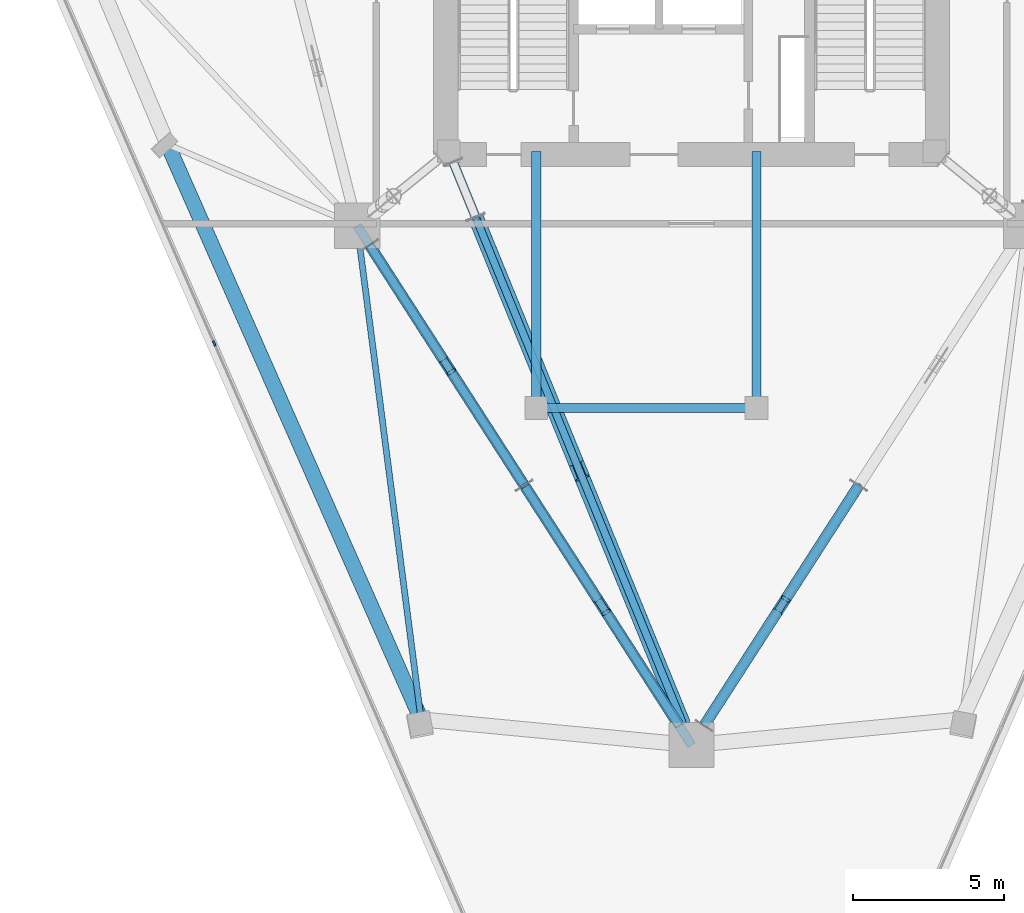
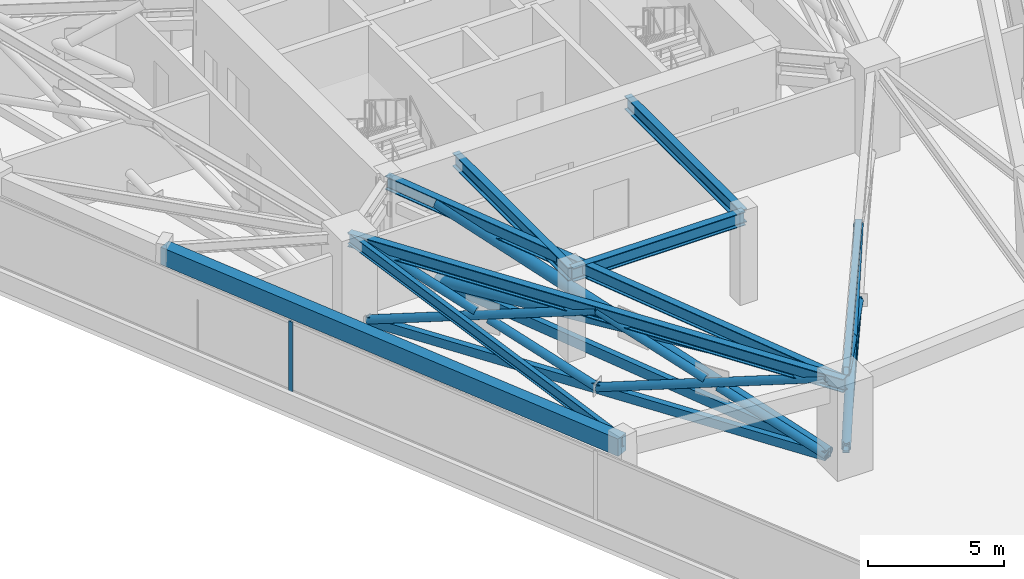
# One storey, part 3 of 13: 21 members, 7 beams, 1 element without a shape of its own.
"""IFC4 building model written with IfcOpenShell, lengths in metres."""

from ifc_helpers import new_model, si_unit, direction, frame, origin, origin_2d, place, context, subcontext, project, spatial, rectangle, hollow_rectangle, hollow_circle, i_section, extrude, material, layer, layer_set, material_profile, profile_set, type_object, element, aggregate, save


model = new_model("IFC4")

# Units and contexts
model_context = context("Model", 3, precision=1e-05, world=origin(), true_north=direction((0.0, 1.0)))
body_context = subcontext(model_context, "Body", "Model", "MODEL_VIEW")
ifc_project = project(units=[si_unit("LENGTHUNIT", "METRE"), si_unit("AREAUNIT", "SQUARE_METRE"), si_unit("VOLUMEUNIT", "CUBIC_METRE"), si_unit("PLANEANGLEUNIT", "RADIAN"), si_unit("MASSUNIT", "GRAM", prefix="KILO")], contexts=[model_context])

# Site, building, storey
site_placement = place(None, origin())
site = spatial("IfcSite", under=ifc_project, at=site_placement, CompositionType="ELEMENT")
building_placement = place(site_placement, origin())
building = spatial("IfcBuilding", under=site, at=building_placement, Name="Talyreon Biosciences Tower", CompositionType="ELEMENT")
storey_placement = place(building_placement, frame((0.0, 0.0, 175.199951171875)))
storey = spatial("IfcBuildingStorey", under=building, at=storey_placement, Name="L46", CompositionType="ELEMENT", Elevation=175.199951171875)

# Members
ifc_material_1 = material(Name="Steel SM355", Category="steel")
ifc_material_profile_1 = material_profile(ifc_material_1, hollow_circle(Radius=0.177734375, WallThickness=0.01416015625, at=origin_2d()), Name="CHS 355.6x14.2")
ifc_profile_set_1 = profile_set([ifc_material_profile_1], Name="Steel SM355")
member_type_1 = type_object("IfcMemberType", Name="BeltBrace_CHS355", PredefinedType="BRACE", material=ifc_profile_set_1)
member_1_placement = place(storey_placement, frame((66.41162109375, 42.305908203125, 0.239990234375), z_axis=(0.508627213413, 0.789740603119, 0.342940428588), x_axis=(-0.840724531563, 0.541463075405, 0.0)))
element("IfcMember", 1, at=member_1_placement, inside=storey, type_object=member_type_1, Name="L46 Continuous Diagonal BELT-L46-B1S1A", PredefinedType="BRACE", context=body_context, shape_type="SweptSolid", body=[
    extrude(hollow_circle(Radius=0.177734375, WallThickness=0.01416015625, at=origin_2d()), origin(), (0.0, 0.0, 1.0), 10.089111328125),
])
member_2_placement = place(storey_placement, frame((71.543212890625, 50.273681640625, 0.239990234375), z_axis=(-0.508661520583, -0.789714048073, 0.342950695806), x_axis=(0.840699616917, -0.541501758184, 0.0)))
element("IfcMember", 2, at=member_2_placement, inside=storey, type_object=member_type_1, Name="L46 Split Diagonal BELT-L46-B1S1B-Lower", PredefinedType="BRACE", context=body_context, shape_type="SweptSolid", body=[
    extrude(hollow_circle(Radius=0.177734375, WallThickness=0.01416015625, at=origin_2d()), origin(), (0.0, 0.0, 1.0), 4.7646484375),
])
member_3_placement = place(storey_placement, frame((68.8349609375, 46.068603515625, 2.066162109375), z_axis=(-0.508632474612, -0.789748508838, 0.342914418709), x_axis=(0.840724449388, -0.541463202999, 0.0)))
element("IfcMember", 3, at=member_3_placement, inside=storey, type_object=member_type_1, Name="L46 Split Diagonal BELT-L46-B1S1B-Upper", PredefinedType="BRACE", context=body_context, shape_type="SweptSolid", body=[
    extrude(hollow_circle(Radius=0.177734375, WallThickness=0.01416015625, at=origin_2d()), origin(), (0.0, 0.0, 1.0), 4.764404296875),
])
member_4_placement = place(storey_placement, frame((55.3251953125, 58.241455078125, 0.239990234375), z_axis=(0.508627213413, -0.789740603119, 0.342940428588), x_axis=(0.840724531563, 0.541463075405, 0.0)))
element("IfcMember", 4, at=member_4_placement, inside=storey, type_object=member_type_1, Name="L46 Continuous Diagonal BELT-L46-B6S1A", PredefinedType="BRACE", context=body_context, shape_type="SweptSolid", body=[
    extrude(hollow_circle(Radius=0.177734375, WallThickness=0.01416015625, at=origin_2d()), origin(), (0.0, 0.0, 1.0), 10.089111328125),
])
member_5_placement = place(storey_placement, frame((60.456787109375, 50.273681640625, 0.239990234375), z_axis=(-0.508623536606, 0.789734630886, 0.342959634345), x_axis=(-0.840724449388, -0.541463202999, 0.0)))
element("IfcMember", 5, at=member_5_placement, inside=storey, type_object=member_type_1, Name="L46 Split Diagonal BELT-L46-B6S1B-Lower", PredefinedType="BRACE", context=body_context, shape_type="SweptSolid", body=[
    extrude(hollow_circle(Radius=0.177734375, WallThickness=0.01416015625, at=origin_2d()), origin(), (0.0, 0.0, 1.0), 4.764404296875),
])
member_6_placement = place(storey_placement, frame((57.748779296875, 54.478515625, 2.066162109375), z_axis=(-0.508649875243, 0.789747207325, 0.342891605231), x_axis=(-0.840715610719, -0.541476926465, 0.0)))
element("IfcMember", 6, at=member_6_placement, inside=storey, type_object=member_type_1, Name="L46 Split Diagonal BELT-L46-B6S1B-Upper", PredefinedType="BRACE", context=body_context, shape_type="SweptSolid", body=[
    extrude(hollow_circle(Radius=0.177734375, WallThickness=0.01416015625, at=origin_2d()), origin(), (0.0, 0.0, 1.0), 4.7646484375),
])
member_7_placement = place(storey_placement, frame((60.456787109375, 50.273681640625, 0.239990234375), z_axis=(0.508627213413, -0.789740603119, 0.342940428588), x_axis=(0.840724531563, 0.541463075405, 0.0)))
element("IfcMember", 7, at=member_7_placement, inside=storey, type_object=member_type_1, Name="L46 Continuous Diagonal BELT-L46-B6S2A", PredefinedType="BRACE", context=body_context, shape_type="SweptSolid", body=[
    extrude(hollow_circle(Radius=0.177734375, WallThickness=0.01416015625, at=origin_2d()), origin(), (0.0, 0.0, 1.0), 10.089111328125),
])
member_8_placement = place(storey_placement, frame((65.58837890625, 42.305908203125, 0.239990234375), z_axis=(-0.508623536606, 0.789734630886, 0.342959634345), x_axis=(-0.840724449388, -0.541463202999, 0.0)))
element("IfcMember", 8, at=member_8_placement, inside=storey, type_object=member_type_1, Name="L46 Split Diagonal BELT-L46-B6S2B-Lower", PredefinedType="BRACE", context=body_context, shape_type="SweptSolid", body=[
    extrude(hollow_circle(Radius=0.177734375, WallThickness=0.01416015625, at=origin_2d()), origin(), (0.0, 0.0, 1.0), 4.764404296875),
])
member_9_placement = place(storey_placement, frame((62.88037109375, 46.510986328125, 2.066162109375), z_axis=(-0.508670458791, 0.78972792494, 0.342905481034), x_axis=(-0.840699616917, -0.541501758184, 0.0)))
element("IfcMember", 9, at=member_9_placement, inside=storey, type_object=member_type_1, Name="L46 Split Diagonal BELT-L46-B6S2B-Upper", PredefinedType="BRACE", context=body_context, shape_type="SweptSolid", body=[
    extrude(hollow_circle(Radius=0.177734375, WallThickness=0.01416015625, at=origin_2d()), origin(), (0.0, 0.0, 1.0), 4.7646484375),
])
ifc_material_profile_2 = material_profile(ifc_material_1, hollow_rectangle(XDim=0.25, YDim=0.39990234375, WallThickness=0.01611328125, at=origin_2d()), Name="RHS 400x250x16")
ifc_profile_set_2 = profile_set([ifc_material_profile_2], Name="Steel SM355")
member_type_2 = type_object("IfcMemberType", Name="BeltChord_RHS400x250", PredefinedType="CHORD", material=ifc_profile_set_2)
for number, where, z_axis, x_axis, name in (
    (10, (66.41162109375, 42.305908203125, 0.239990234375), (0.541463075405, 0.840724531563, 0.0), (-0.840724531563, 0.541463075405, 0.0), "L46 Truss Bottom Chord BELT-L46-B1S1"),
    (11, (66.41162109375, 42.305908203125, 3.699951171875), (0.541463075405, 0.840724531563, 0.0), (-0.840724531563, 0.541463075405, 0.0), "L46 Truss Top Chord BELT-L46-B1S1"),
    (12, (55.3251953125, 58.241455078125, 0.239990234375), (0.541463075405, -0.840724531563, 0.0), (0.840724531563, 0.541463075405, 0.0), "L46 Truss Bottom Chord BELT-L46-B6S1"),
    (13, (55.3251953125, 58.241455078125, 3.699951171875), (0.541463075405, -0.840724531563, 0.0), (0.840724531563, 0.541463075405, 0.0), "L46 Truss Top Chord BELT-L46-B6S1"),
    (14, (60.456787109375, 50.273681640625, 0.239990234375), (0.541463075405, -0.840724531563, 0.0), (0.840724531563, 0.541463075405, 0.0), "L46 Truss Bottom Chord BELT-L46-B6S2"),
    (15, (60.456787109375, 50.273681640625, 3.699951171875), (0.541463075405, -0.840724531563, 0.0), (0.840724531563, 0.541463075405, 0.0), "L46 Truss Top Chord BELT-L46-B6S2"),
):
    element("IfcMember", number, at=place(storey_placement, frame(where, z_axis=z_axis, x_axis=x_axis)), inside=storey, type_object=member_type_2, Name=name, PredefinedType="CHORD", context=body_context, shape_type="SweptSolid", body=[
        extrude(hollow_rectangle(XDim=0.25, YDim=0.39990234375, WallThickness=0.01611328125, at=origin_2d()), origin(), (0.0, 0.0, 1.0), 9.477294921875),
    ])

# Curtain wall, member
ifc_material_2 = material(Name="Thermally broken aluminium and low-E glazing", Category="aluminium")
ifc_layer = layer(ifc_material_2, 0.18505859375)
ifc_layer_set = layer_set([ifc_layer], Name="Thermally broken aluminium and low-E glazing")
curtain_wall_type = type_object("IfcCurtainWallType", Name="CurtainWall_Zone3Bioprocess", PredefinedType="NOTDEFINED", material=ifc_layer_set)
curtain_wall_placement = place(storey_placement, origin())
curtain_wall = element("IfcCurtainWall", 16, at=curtain_wall_placement, inside=storey, type_object=curtain_wall_type, Name="L46 Unitised Curtain Wall FCW-L46-00", PredefinedType="NOTDEFINED")
ifc_material_3 = material(Name="Anodised thermally broken aluminium", Category="aluminium")
ifc_material_profile_3 = material_profile(ifc_material_3, rectangle(XDim=0.06494140625, YDim=0.179931640625, at=origin_2d()), Name="ALUM MULLION 65x180")
ifc_profile_set_3 = profile_set([ifc_material_profile_3], Name="Anodised thermally broken aluminium")
member_type_3 = type_object("IfcMemberType", Name="CWMullion_65x180", PredefinedType="MULLION", material=ifc_profile_set_3)
member_10_placement = place(storey_placement, frame((50.175048828125, 54.984375, 0.81005859375), z_axis=(0.0, 0.0, 1.0), x_axis=(-0.916820215501, -0.399300253505, 0.0)))
member_10 = element("IfcMember", 17, at=member_10_placement, type_object=member_type_3, Name="CW4 mullion 3", PredefinedType="MULLION", context=body_context, shape_type="SweptSolid", body=[
    extrude(rectangle(XDim=0.06494140625, YDim=0.179931640625, at=origin_2d()), origin(), (0.0, 0.0, 1.0), 3.139892578125),
])
aggregate(curtain_wall, [member_10])

# Beam
ifc_material_4 = material(Name="Precast concrete C45/55", Category="concrete")
ifc_material_profile_4 = material_profile(ifc_material_4, rectangle(XDim=0.5, YDim=0.780029296875, at=origin_2d()), Name="RCB 500x780")
ifc_profile_set_4 = profile_set([ifc_material_profile_4], Name="Precast concrete C45/55")
beam_type_1 = type_object("IfcBeamType", Name="ExpressedSpandrel_500x780", PredefinedType="SPANDREL", material=ifc_profile_set_4)
beam_1_placement = place(storey_placement, frame((48.62646484375, 61.582275390625, 3.56005859375), z_axis=(0.403551346611, -0.914956999344, 0.0), x_axis=(0.914956999344, 0.403551346611, 0.0)))
element("IfcBeam", 18, at=beam_1_placement, inside=storey, type_object=beam_type_1, Name="L46 Expressed Horizontal Concrete Spandrel 11", PredefinedType="SPANDREL", context=body_context, shape_type="SweptSolid", body=[
    extrude(rectangle(XDim=0.5, YDim=0.780029296875, at=origin_2d()), origin(), (0.0, 0.0, 1.0), 20.834228515625),
])

# Members
ifc_material_profile_5 = material_profile(ifc_material_1, hollow_circle(Radius=0.25390625, WallThickness=0.02001953125, at=origin_2d()), Name="CHS 508x20")
ifc_profile_set_5 = profile_set([ifc_material_profile_5], Name="Steel SM355")
member_type_4 = type_object("IfcMemberType", Name="OutriggerBrace_CHS508", PredefinedType="BRACE", material=ifc_profile_set_5)
member_11_placement = place(storey_placement, frame((58.839599609375, 59.1748046875, 0.239990234375), z_axis=(0.371858274729, -0.909217324708, 0.187203846025), x_axis=(0.925580582323, 0.378550638128, 0.0)))
element("IfcMember", 19, at=member_11_placement, inside=storey, type_object=member_type_4, Name="L46 Continuous Diagonal OUT-L46-R1A", PredefinedType="BRACE", context=body_context, shape_type="SweptSolid", body=[
    extrude(hollow_circle(Radius=0.25390625, WallThickness=0.02001953125, at=origin_2d()), origin(), (0.0, 0.0, 1.0), 18.482421875),
])
member_12_placement = place(storey_placement, frame((65.71240234375, 42.370361328125, 0.239990234375), z_axis=(-0.371877454628, 0.909206321855, 0.187219184484), x_axis=(-0.925572135795, -0.378571289773, 0.0)))
element("IfcMember", 20, at=member_12_placement, inside=storey, type_object=member_type_4, Name="L46 Split Diagonal OUT-L46-R1B-Lower", PredefinedType="BRACE", context=body_context, shape_type="SweptSolid", body=[
    extrude(hollow_circle(Radius=0.25390625, WallThickness=0.02001953125, at=origin_2d()), origin(), (0.0, 0.0, 1.0), 8.96142578125),
])
member_13_placement = place(storey_placement, frame((62.171875, 51.027099609375, 2.0224609375), z_axis=(-0.371855874697, 0.909220170436, 0.18719479193), x_axis=(-0.925581853504, -0.378547529994, 0.0)))
element("IfcMember", 21, at=member_13_placement, inside=storey, type_object=member_type_4, Name="L46 Split Diagonal OUT-L46-R1B-Upper", PredefinedType="BRACE", context=body_context, shape_type="SweptSolid", body=[
    extrude(hollow_circle(Radius=0.25390625, WallThickness=0.02001953125, at=origin_2d()), origin(), (0.0, 0.0, 1.0), 8.961181640625),
])
ifc_material_profile_6 = material_profile(ifc_material_1, hollow_rectangle(XDim=0.25, YDim=0.449951171875, WallThickness=0.01611328125, at=origin_2d()), Name="RHS 450x250x16")
ifc_profile_set_6 = profile_set([ifc_material_profile_6], Name="Steel SM355")
member_type_5 = type_object("IfcMemberType", Name="OutriggerChord_RHS450x250", PredefinedType="CHORD", material=ifc_profile_set_6)
for number, where, z_axis, x_axis, name in (
    (22, (58.839599609375, 59.1748046875, 0.239990234375), (0.378550638128, -0.925580582323, 0.0), (0.925580582323, 0.378550638128, 0.0), "L46 Truss Bottom Chord OUT-L46-R1"),
    (23, (58.839599609375, 59.1748046875, 3.699951171875), (0.378550638128, -0.925580582323, 0.0), (0.925580582323, 0.378550638128, 0.0), "L46 Truss Top Chord OUT-L46-R1"),
):
    element("IfcMember", number, at=place(storey_placement, frame(where, z_axis=z_axis, x_axis=x_axis)), inside=storey, type_object=member_type_5, Name=name, PredefinedType="CHORD", context=body_context, shape_type="SweptSolid", body=[
        extrude(hollow_rectangle(XDim=0.25, YDim=0.449951171875, WallThickness=0.01611328125, at=origin_2d()), origin(), (0.0, 0.0, 1.0), 18.155517578125),
    ])

# Beams
ifc_material_profile_7 = material_profile(ifc_material_1, i_section(OverallWidth=0.300048828125, OverallDepth=0.60009765625, WebThickness=0.015380859375, FlangeThickness=0.030029296875, FilletRadius=0.027099609375, at=origin_2d()), Name="HE600B")
ifc_profile_set_7 = profile_set([ifc_material_profile_7], Name="Steel SM355")
beam_type_2 = type_object("IfcBeamType", Name="SteelBeam_HE600B", PredefinedType="BEAM", material=ifc_profile_set_7)
beam_2_placement = place(storey_placement, frame((54.913818359375, 58.88037109375, 3.650146484375), z_axis=(0.541463723609, -0.840724114092, 0.0), x_axis=(0.840724114092, 0.541463723609, 0.0)))
element("IfcBeam", 24, at=beam_2_placement, inside=storey, type_object=beam_type_2, Name="L46 Mega-Ring Girder 6", PredefinedType="BEAM", context=body_context, shape_type="SweptSolid", body=[
    extrude(i_section(OverallWidth=0.300048828125, OverallDepth=0.60009765625, WebThickness=0.015380859375, FlangeThickness=0.030029296875, FilletRadius=0.027099609375, at=origin_2d()), origin(), (0.0, 0.0, 1.0), 20.474365234375),
])
beam_3_placement = place(storey_placement, frame((57.949951171875, 61.35009765625, 3.650146484375), z_axis=(0.378547014545, -0.925582064314, 0.0), x_axis=(0.925582064314, 0.378547014545, 0.0)))
element("IfcBeam", 25, at=beam_3_placement, inside=storey, type_object=beam_type_2, Name="L46 Radial Primary Girder 1", PredefinedType="BEAM", context=body_context, shape_type="SweptSolid", body=[
    extrude(i_section(OverallWidth=0.300048828125, OverallDepth=0.60009765625, WebThickness=0.015380859375, FlangeThickness=0.030029296875, FilletRadius=0.027099609375, at=origin_2d()), origin(), (0.0, 0.0, 1.0), 21.265625),
])
beam_4_placement = place(storey_placement, frame((60.85009765625, 52.840087890625, 3.650146484375), z_axis=(1.0, 0.0, 0.0), x_axis=(0.0, 1.0, 0.0)))
element("IfcBeam", 26, at=beam_4_placement, inside=storey, type_object=beam_type_2, Name="L46 Crown Shaft Spine Girder S", PredefinedType="BEAM", context=body_context, shape_type="SweptSolid", body=[
    extrude(i_section(OverallWidth=0.300048828125, OverallDepth=0.60009765625, WebThickness=0.015380859375, FlangeThickness=0.030029296875, FilletRadius=0.027099609375, at=origin_2d()), origin(), (0.0, 0.0, 1.0), 7.2998046875),
])
for number, where, z_axis, x_axis, name in (
    (27, (60.85009765625, 52.840087890625, 3.650146484375), (0.0, 1.0, 0.0), (-1.0, 0.0, 0.0), "L46 Crown Shaft Tie Girder W"),
    (28, (68.14990234375, 52.840087890625, 3.650146484375), (0.0, 1.0, 0.0), (-1.0, 0.0, 0.0), "L46 Crown Shaft Tie Girder E"),
):
    element("IfcBeam", number, at=place(storey_placement, frame(where, z_axis=z_axis, x_axis=x_axis)), inside=storey, type_object=beam_type_2, Name=name, PredefinedType="BEAM", context=body_context, shape_type="SweptSolid", body=[
        extrude(i_section(OverallWidth=0.300048828125, OverallDepth=0.60009765625, WebThickness=0.015380859375, FlangeThickness=0.030029296875, FilletRadius=0.027099609375, at=origin_2d()), origin(), (0.0, 0.0, 1.0), 8.510009765625),
    ])
ifc_material_profile_8 = material_profile(ifc_material_1, i_section(OverallWidth=0.199951171875, OverallDepth=0.5, WebThickness=0.01025390625, FlangeThickness=0.01611328125, FilletRadius=0.02099609375, at=origin_2d()), Name="IPE500")
ifc_profile_set_8 = profile_set([ifc_material_profile_8], Name="Steel SM355")
beam_type_3 = type_object("IfcBeamType", Name="SteelJoist_IPE500", PredefinedType="JOIST", material=ifc_profile_set_8)
beam_5_placement = place(storey_placement, frame((54.913818359375, 58.88037109375, 3.699951171875), z_axis=(0.12852680695, -0.99170603502, 0.0), x_axis=(0.99170603502, 0.12852680695, 0.0)))
element("IfcBeam", 29, at=beam_5_placement, inside=storey, type_object=beam_type_3, Name="L46 Radial Composite Floor Joist PC-SW2", PredefinedType="JOIST", context=body_context, shape_type="SweptSolid", body=[
    extrude(i_section(OverallWidth=0.199951171875, OverallDepth=0.5, WebThickness=0.01025390625, FlangeThickness=0.01611328125, FilletRadius=0.02099609375, at=origin_2d()), origin(), (0.0, 0.0, 1.0), 16.497314453125),
])

save(model, "model.ifc")
